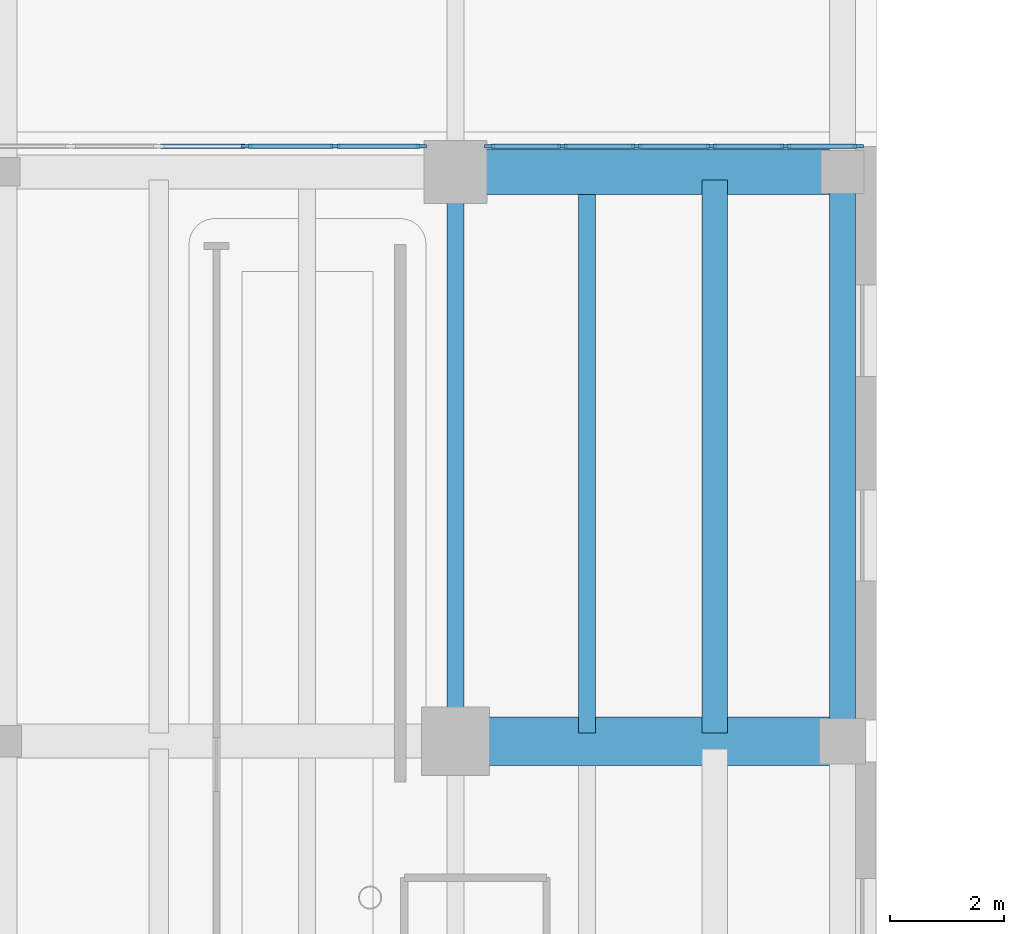
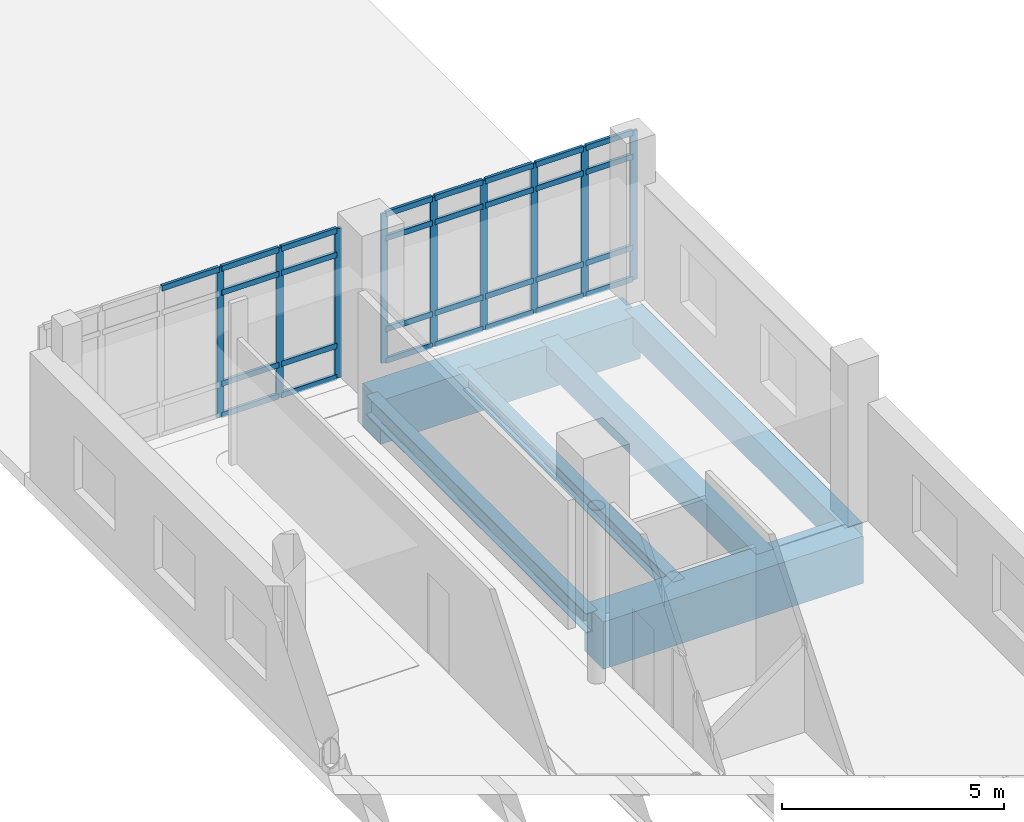
# One storey, part 37 of 89: 38 members, 6 beams, 2 elements without a shape of their own.
"""IFC4 building model written with IfcOpenShell, lengths in metres."""

from ifc_helpers import new_model, si_unit, direction, frame, origin, origin_2d, place, context, subcontext, project, spatial, rectangle, i_section, extrude, material, material_profile, profile_set, type_object, element, aggregate, save


model = new_model("IFC4")

# Units and contexts
model_context = context("Model", 3, precision=1e-05, world=origin(), true_north=direction((0.0, 1.0)))
body_context = subcontext(model_context, "Body", "Model", "MODEL_VIEW")
ifc_project = project(units=[si_unit("LENGTHUNIT", "METRE"), si_unit("AREAUNIT", "SQUARE_METRE"), si_unit("VOLUMEUNIT", "CUBIC_METRE"), si_unit("PLANEANGLEUNIT", "RADIAN"), si_unit("MASSUNIT", "GRAM", prefix="KILO")], contexts=[model_context])

# Site, building, storey
site_placement = place(None, origin())
site = spatial("IfcSite", under=ifc_project, at=site_placement, CompositionType="ELEMENT")
building_placement = place(site_placement, origin())
building = spatial("IfcBuilding", under=site, at=building_placement, Name="Soyqirgoq Riverine Aquarium", CompositionType="ELEMENT")
storey_placement = place(building_placement, frame((0.0, 0.0, 5.39990234375)))
storey = spatial("IfcBuildingStorey", under=building, at=storey_placement, Name="L02", CompositionType="ELEMENT", Elevation=5.39990234375)

# Beams
ifc_material_1 = material(Name="Concrete C40/50", Category="concrete")
ifc_material_profile_1 = material_profile(ifc_material_1, rectangle(XDim=0.449951171875, YDim=0.699951171875, at=origin_2d()), Name="RC 450x700")
ifc_profile_set_1 = profile_set([ifc_material_profile_1], Name="Concrete C40/50")
beam_type_1 = type_object("IfcBeamType", Name="Beam_RC_450x700", PredefinedType="BEAM", material=ifc_profile_set_1)
beam_1_placement = place(storey_placement, frame((127.156005859375, 84.93994140625, -0.699951171875), z_axis=(0.0, 1.0, 0.0), x_axis=(-1.0, 0.0, 0.0)))
element("IfcBeam", 1, at=beam_1_placement, inside=storey, type_object=beam_type_1, Name="V7 L02 Secondary Bay Joist 1356", PredefinedType="BEAM", context=body_context, shape_type="SweptSolid", body=[
    extrude(rectangle(XDim=0.449951171875, YDim=0.699951171875, at=origin_2d()), origin(), (0.0, 0.0, 1.0), 9.719970703125),
])
ifc_material_2 = material(Name="Concrete C40/50", Category="concrete")
ifc_material_profile_2 = material_profile(ifc_material_2, rectangle(XDim=0.449951171875, YDim=0.75, at=origin_2d()), Name="RC 450x750")
ifc_profile_set_2 = profile_set([ifc_material_profile_2], Name="Concrete C40/50")
beam_type_2 = type_object("IfcBeamType", Name="Beam_RC_450x750", PredefinedType="BEAM", material=ifc_profile_set_2)
beam_2_placement = place(storey_placement, frame((129.39990234375, 84.85009765625, -0.724853515625), z_axis=(0.0, 1.0, 0.0), x_axis=(-1.0, 0.0, 0.0)))
element("IfcBeam", 2, at=beam_2_placement, inside=storey, type_object=beam_type_2, Name="V7 L02 North-South Frame Beam 1317", PredefinedType="BEAM", context=body_context, shape_type="SweptSolid", body=[
    extrude(rectangle(XDim=0.449951171875, YDim=0.75, at=origin_2d()), origin(), (0.0, 0.0, 1.0), 9.89990234375),
])

# Curtain wall, members
ifc_material_3 = material(Name="Anodised aluminium thermally broken gallery curtain wall", Category="aluminium")
curtain_wall_type = type_object("IfcCurtainWallType", Name="CW_Pavilion_Ribbon", PredefinedType="NOTDEFINED", material=ifc_material_3)
curtain_wall_1_placement = place(storey_placement, origin())
curtain_wall_1 = element("IfcCurtainWall", 3, at=curtain_wall_1_placement, inside=storey, type_object=curtain_wall_type, Name="V7 L02 Curtain Wall 121", PredefinedType="NOTDEFINED")
ifc_material_4 = material(Name="Anodised aluminium 6063-T6", Category="aluminium")
ifc_material_profile_3 = material_profile(ifc_material_4, rectangle(XDim=0.06494140625, YDim=0.179931640625, at=origin_2d()), Name="ALU-M 65x180")
ifc_profile_set_3 = profile_set([ifc_material_profile_3], Name="Anodised aluminium 6063-T6")
member_type_1 = type_object("IfcMemberType", Name="CWMullion_65x180", PredefinedType="MULLION", material=ifc_profile_set_3)
member_1_placement = place(storey_placement, frame((118.93408203125, 95.25, 0.0), z_axis=(0.0, 0.0, 1.0), x_axis=(0.0, 1.0, 0.0)))
member_1 = element("IfcMember", 4, at=member_1_placement, type_object=member_type_1, Name="CW-05 mullion 4", PredefinedType="MULLION", context=body_context, shape_type="SweptSolid", body=[
    extrude(rectangle(XDim=0.06494140625, YDim=0.179931640625, at=origin_2d()), origin(), (0.0, 0.0, 1.0), 4.10009765625),
])
member_2_placement = place(storey_placement, frame((120.48193359375, 95.25, 0.0), z_axis=(0.0, 0.0, 1.0), x_axis=(0.0, 1.0, 0.0)))
member_2 = element("IfcMember", 5, at=member_2_placement, type_object=member_type_1, Name="CW-05 mullion 5", PredefinedType="MULLION", context=body_context, shape_type="SweptSolid", body=[
    extrude(rectangle(XDim=0.06494140625, YDim=0.179931640625, at=origin_2d()), origin(), (0.0, 0.0, 1.0), 4.10009765625),
])
member_3_placement = place(storey_placement, frame((121.99755859375, 95.25, 0.0), z_axis=(0.0, 0.0, 1.0), x_axis=(0.0, 1.0, 0.0)))
member_3 = element("IfcMember", 6, at=member_3_placement, type_object=member_type_1, Name="CW-05 mullion 6", PredefinedType="MULLION", context=body_context, shape_type="SweptSolid", body=[
    extrude(rectangle(XDim=0.06494140625, YDim=0.179931640625, at=origin_2d()), origin(), (0.0, 0.0, 1.0), 4.10009765625),
])

curtain_wall_2_placement = place(storey_placement, origin())
curtain_wall_2 = element("IfcCurtainWall", 7, at=curtain_wall_2_placement, inside=storey, type_object=curtain_wall_type, Name="V7 L02 Curtain Wall 122", PredefinedType="NOTDEFINED")
member_4_placement = place(storey_placement, frame((123.202392578125, 95.25, 0.0), z_axis=(0.0, 0.0, 1.0), x_axis=(0.0, 1.0, 0.0)))
member_4 = element("IfcMember", 8, at=member_4_placement, type_object=member_type_1, Name="CW-05 mullion 1", PredefinedType="MULLION", context=body_context, shape_type="SweptSolid", body=[
    extrude(rectangle(XDim=0.06494140625, YDim=0.179931640625, at=origin_2d()), origin(), (0.0, 0.0, 1.0), 4.10009765625),
])
member_5_placement = place(storey_placement, frame((124.47802734375, 95.25, 0.0), z_axis=(0.0, 0.0, 1.0), x_axis=(0.0, 1.0, 0.0)))
member_5 = element("IfcMember", 9, at=member_5_placement, type_object=member_type_1, Name="CW-05 mullion 2", PredefinedType="MULLION", context=body_context, shape_type="SweptSolid", body=[
    extrude(rectangle(XDim=0.06494140625, YDim=0.179931640625, at=origin_2d()), origin(), (0.0, 0.0, 1.0), 4.10009765625),
])
member_6_placement = place(storey_placement, frame((125.785888671875, 95.25, 0.0), z_axis=(0.0, 0.0, 1.0), x_axis=(0.0, 1.0, 0.0)))
member_6 = element("IfcMember", 10, at=member_6_placement, type_object=member_type_1, Name="CW-05 mullion 3", PredefinedType="MULLION", context=body_context, shape_type="SweptSolid", body=[
    extrude(rectangle(XDim=0.06494140625, YDim=0.179931640625, at=origin_2d()), origin(), (0.0, 0.0, 1.0), 4.10009765625),
])
member_7_placement = place(storey_placement, frame((127.093994140625, 95.25, 0.0), z_axis=(0.0, 0.0, 1.0), x_axis=(0.0, 1.0, 0.0)))
member_7 = element("IfcMember", 11, at=member_7_placement, type_object=member_type_1, Name="CW-05 mullion 4", PredefinedType="MULLION", context=body_context, shape_type="SweptSolid", body=[
    extrude(rectangle(XDim=0.06494140625, YDim=0.179931640625, at=origin_2d()), origin(), (0.0, 0.0, 1.0), 4.10009765625),
])
member_8_placement = place(storey_placement, frame((128.402099609375, 95.25, 0.0), z_axis=(0.0, 0.0, 1.0), x_axis=(0.0, 1.0, 0.0)))
member_8 = element("IfcMember", 12, at=member_8_placement, type_object=member_type_1, Name="CW-05 mullion 5", PredefinedType="MULLION", context=body_context, shape_type="SweptSolid", body=[
    extrude(rectangle(XDim=0.06494140625, YDim=0.179931640625, at=origin_2d()), origin(), (0.0, 0.0, 1.0), 4.10009765625),
])
member_9_placement = place(storey_placement, frame((129.677490234375, 95.25, 0.0), z_axis=(0.0, 0.0, 1.0), x_axis=(0.0, 1.0, 0.0)))
member_9 = element("IfcMember", 13, at=member_9_placement, type_object=member_type_1, Name="CW-05 mullion 6", PredefinedType="MULLION", context=body_context, shape_type="SweptSolid", body=[
    extrude(rectangle(XDim=0.06494140625, YDim=0.179931640625, at=origin_2d()), origin(), (0.0, 0.0, 1.0), 4.10009765625),
])

# Member
ifc_material_5 = material(Name="Anodised aluminium 6063-T6", Category="aluminium")
ifc_material_profile_4 = material_profile(ifc_material_5, rectangle(XDim=0.074951171875, YDim=0.14990234375, at=origin_2d()), Name="ALU-T 75x150")
ifc_profile_set_4 = profile_set([ifc_material_profile_4], Name="Anodised aluminium 6063-T6")
member_type_2 = type_object("IfcMemberType", Name="CWTransom_75x150", PredefinedType="USERDEFINED", material=ifc_profile_set_4)
member_10_placement = place(storey_placement, frame((117.41845703125, 95.25, 4.0625), z_axis=(1.0, 0.0, 0.0), x_axis=(0.0, 1.0, 0.0)))
member_10 = element("IfcMember", 14, at=member_10_placement, type_object=member_type_2, Name="CW-05 transom 3.4", ObjectType="TRANSOM", PredefinedType="USERDEFINED", context=body_context, shape_type="SweptSolid", body=[
    extrude(rectangle(XDim=0.074951171875, YDim=0.14990234375, at=origin_2d()), origin(), (0.0, 0.0, 1.0), 1.483154296875),
])

member_11_placement = place(storey_placement, frame((118.966552734375, 95.25, 0.03759765625), z_axis=(1.0, 0.0, 0.0), x_axis=(0.0, 1.0, 0.0)))
member_11 = element("IfcMember", 15, at=member_11_placement, type_object=member_type_2, Name="CW-05 transom 4.1", ObjectType="TRANSOM", PredefinedType="USERDEFINED", context=body_context, shape_type="SweptSolid", body=[
    extrude(rectangle(XDim=0.074951171875, YDim=0.14990234375, at=origin_2d()), origin(), (0.0, 0.0, 1.0), 1.48291015625),
])

member_12_placement = place(storey_placement, frame((118.966552734375, 95.25, 0.900146484375), z_axis=(1.0, 0.0, 0.0), x_axis=(0.0, 1.0, 0.0)))
member_12 = element("IfcMember", 16, at=member_12_placement, type_object=member_type_2, Name="CW-05 transom 4.2", ObjectType="TRANSOM", PredefinedType="USERDEFINED", context=body_context, shape_type="SweptSolid", body=[
    extrude(rectangle(XDim=0.074951171875, YDim=0.14990234375, at=origin_2d()), origin(), (0.0, 0.0, 1.0), 1.48291015625),
])

member_13_placement = place(storey_placement, frame((118.966552734375, 95.25, 3.400146484375), z_axis=(1.0, 0.0, 0.0), x_axis=(0.0, 1.0, 0.0)))
member_13 = element("IfcMember", 17, at=member_13_placement, type_object=member_type_2, Name="CW-05 transom 4.3", ObjectType="TRANSOM", PredefinedType="USERDEFINED", context=body_context, shape_type="SweptSolid", body=[
    extrude(rectangle(XDim=0.074951171875, YDim=0.14990234375, at=origin_2d()), origin(), (0.0, 0.0, 1.0), 1.48291015625),
])

member_14_placement = place(storey_placement, frame((118.966552734375, 95.25, 4.0625), z_axis=(1.0, 0.0, 0.0), x_axis=(0.0, 1.0, 0.0)))
member_14 = element("IfcMember", 18, at=member_14_placement, type_object=member_type_2, Name="CW-05 transom 4.4", ObjectType="TRANSOM", PredefinedType="USERDEFINED", context=body_context, shape_type="SweptSolid", body=[
    extrude(rectangle(XDim=0.074951171875, YDim=0.14990234375, at=origin_2d()), origin(), (0.0, 0.0, 1.0), 1.48291015625),
])

member_15_placement = place(storey_placement, frame((120.514404296875, 95.25, 0.03759765625), z_axis=(1.0, 0.0, 0.0), x_axis=(0.0, 1.0, 0.0)))
member_15 = element("IfcMember", 19, at=member_15_placement, type_object=member_type_2, Name="CW-05 transom 5.1", ObjectType="TRANSOM", PredefinedType="USERDEFINED", context=body_context, shape_type="SweptSolid", body=[
    extrude(rectangle(XDim=0.074951171875, YDim=0.14990234375, at=origin_2d()), origin(), (0.0, 0.0, 1.0), 1.45068359375),
])

member_16_placement = place(storey_placement, frame((120.514404296875, 95.25, 0.900146484375), z_axis=(1.0, 0.0, 0.0), x_axis=(0.0, 1.0, 0.0)))
member_16 = element("IfcMember", 20, at=member_16_placement, type_object=member_type_2, Name="CW-05 transom 5.2", ObjectType="TRANSOM", PredefinedType="USERDEFINED", context=body_context, shape_type="SweptSolid", body=[
    extrude(rectangle(XDim=0.074951171875, YDim=0.14990234375, at=origin_2d()), origin(), (0.0, 0.0, 1.0), 1.45068359375),
])

member_17_placement = place(storey_placement, frame((120.514404296875, 95.25, 3.400146484375), z_axis=(1.0, 0.0, 0.0), x_axis=(0.0, 1.0, 0.0)))
member_17 = element("IfcMember", 21, at=member_17_placement, type_object=member_type_2, Name="CW-05 transom 5.3", ObjectType="TRANSOM", PredefinedType="USERDEFINED", context=body_context, shape_type="SweptSolid", body=[
    extrude(rectangle(XDim=0.074951171875, YDim=0.14990234375, at=origin_2d()), origin(), (0.0, 0.0, 1.0), 1.45068359375),
])

member_18_placement = place(storey_placement, frame((120.514404296875, 95.25, 4.0625), z_axis=(1.0, 0.0, 0.0), x_axis=(0.0, 1.0, 0.0)))
member_18 = element("IfcMember", 22, at=member_18_placement, type_object=member_type_2, Name="CW-05 transom 5.4", ObjectType="TRANSOM", PredefinedType="USERDEFINED", context=body_context, shape_type="SweptSolid", body=[
    extrude(rectangle(XDim=0.074951171875, YDim=0.14990234375, at=origin_2d()), origin(), (0.0, 0.0, 1.0), 1.45068359375),
])

aggregate(curtain_wall_1, [member_1, member_2, member_3, member_10, member_11, member_12, member_13, member_14, member_15, member_16, member_17, member_18])

member_19_placement = place(storey_placement, frame((123.235107421875, 95.25, 0.03759765625), z_axis=(1.0, 0.0, 0.0), x_axis=(0.0, 1.0, 0.0)))
member_19 = element("IfcMember", 23, at=member_19_placement, type_object=member_type_2, Name="CW-05 transom 1.1", ObjectType="TRANSOM", PredefinedType="USERDEFINED", context=body_context, shape_type="SweptSolid", body=[
    extrude(rectangle(XDim=0.074951171875, YDim=0.14990234375, at=origin_2d()), origin(), (0.0, 0.0, 1.0), 1.21044921875),
])

member_20_placement = place(storey_placement, frame((123.235107421875, 95.25, 0.900146484375), z_axis=(1.0, 0.0, 0.0), x_axis=(0.0, 1.0, 0.0)))
member_20 = element("IfcMember", 24, at=member_20_placement, type_object=member_type_2, Name="CW-05 transom 1.2", ObjectType="TRANSOM", PredefinedType="USERDEFINED", context=body_context, shape_type="SweptSolid", body=[
    extrude(rectangle(XDim=0.074951171875, YDim=0.14990234375, at=origin_2d()), origin(), (0.0, 0.0, 1.0), 1.21044921875),
])

member_21_placement = place(storey_placement, frame((123.235107421875, 95.25, 3.400146484375), z_axis=(1.0, 0.0, 0.0), x_axis=(0.0, 1.0, 0.0)))
member_21 = element("IfcMember", 25, at=member_21_placement, type_object=member_type_2, Name="CW-05 transom 1.3", ObjectType="TRANSOM", PredefinedType="USERDEFINED", context=body_context, shape_type="SweptSolid", body=[
    extrude(rectangle(XDim=0.074951171875, YDim=0.14990234375, at=origin_2d()), origin(), (0.0, 0.0, 1.0), 1.21044921875),
])

member_22_placement = place(storey_placement, frame((123.235107421875, 95.25, 4.0625), z_axis=(1.0, 0.0, 0.0), x_axis=(0.0, 1.0, 0.0)))
member_22 = element("IfcMember", 26, at=member_22_placement, type_object=member_type_2, Name="CW-05 transom 1.4", ObjectType="TRANSOM", PredefinedType="USERDEFINED", context=body_context, shape_type="SweptSolid", body=[
    extrude(rectangle(XDim=0.074951171875, YDim=0.14990234375, at=origin_2d()), origin(), (0.0, 0.0, 1.0), 1.21044921875),
])

member_23_placement = place(storey_placement, frame((124.510498046875, 95.25, 0.03759765625), z_axis=(1.0, 0.0, 0.0), x_axis=(0.0, 1.0, 0.0)))
member_23 = element("IfcMember", 27, at=member_23_placement, type_object=member_type_2, Name="CW-05 transom 2.1", ObjectType="TRANSOM", PredefinedType="USERDEFINED", context=body_context, shape_type="SweptSolid", body=[
    extrude(rectangle(XDim=0.074951171875, YDim=0.14990234375, at=origin_2d()), origin(), (0.0, 0.0, 1.0), 1.242919921875),
])

member_24_placement = place(storey_placement, frame((124.510498046875, 95.25, 0.900146484375), z_axis=(1.0, 0.0, 0.0), x_axis=(0.0, 1.0, 0.0)))
member_24 = element("IfcMember", 28, at=member_24_placement, type_object=member_type_2, Name="CW-05 transom 2.2", ObjectType="TRANSOM", PredefinedType="USERDEFINED", context=body_context, shape_type="SweptSolid", body=[
    extrude(rectangle(XDim=0.074951171875, YDim=0.14990234375, at=origin_2d()), origin(), (0.0, 0.0, 1.0), 1.242919921875),
])

member_25_placement = place(storey_placement, frame((124.510498046875, 95.25, 3.400146484375), z_axis=(1.0, 0.0, 0.0), x_axis=(0.0, 1.0, 0.0)))
member_25 = element("IfcMember", 29, at=member_25_placement, type_object=member_type_2, Name="CW-05 transom 2.3", ObjectType="TRANSOM", PredefinedType="USERDEFINED", context=body_context, shape_type="SweptSolid", body=[
    extrude(rectangle(XDim=0.074951171875, YDim=0.14990234375, at=origin_2d()), origin(), (0.0, 0.0, 1.0), 1.242919921875),
])

member_26_placement = place(storey_placement, frame((124.510498046875, 95.25, 4.0625), z_axis=(1.0, 0.0, 0.0), x_axis=(0.0, 1.0, 0.0)))
member_26 = element("IfcMember", 30, at=member_26_placement, type_object=member_type_2, Name="CW-05 transom 2.4", ObjectType="TRANSOM", PredefinedType="USERDEFINED", context=body_context, shape_type="SweptSolid", body=[
    extrude(rectangle(XDim=0.074951171875, YDim=0.14990234375, at=origin_2d()), origin(), (0.0, 0.0, 1.0), 1.242919921875),
])

member_27_placement = place(storey_placement, frame((125.818603515625, 95.25, 0.03759765625), z_axis=(1.0, 0.0, 0.0), x_axis=(0.0, 1.0, 0.0)))
member_27 = element("IfcMember", 31, at=member_27_placement, type_object=member_type_2, Name="CW-05 transom 3.1", ObjectType="TRANSOM", PredefinedType="USERDEFINED", context=body_context, shape_type="SweptSolid", body=[
    extrude(rectangle(XDim=0.074951171875, YDim=0.14990234375, at=origin_2d()), origin(), (0.0, 0.0, 1.0), 1.242919921875),
])

member_28_placement = place(storey_placement, frame((125.818603515625, 95.25, 0.900146484375), z_axis=(1.0, 0.0, 0.0), x_axis=(0.0, 1.0, 0.0)))
member_28 = element("IfcMember", 32, at=member_28_placement, type_object=member_type_2, Name="CW-05 transom 3.2", ObjectType="TRANSOM", PredefinedType="USERDEFINED", context=body_context, shape_type="SweptSolid", body=[
    extrude(rectangle(XDim=0.074951171875, YDim=0.14990234375, at=origin_2d()), origin(), (0.0, 0.0, 1.0), 1.242919921875),
])

member_29_placement = place(storey_placement, frame((125.818603515625, 95.25, 3.400146484375), z_axis=(1.0, 0.0, 0.0), x_axis=(0.0, 1.0, 0.0)))
member_29 = element("IfcMember", 33, at=member_29_placement, type_object=member_type_2, Name="CW-05 transom 3.3", ObjectType="TRANSOM", PredefinedType="USERDEFINED", context=body_context, shape_type="SweptSolid", body=[
    extrude(rectangle(XDim=0.074951171875, YDim=0.14990234375, at=origin_2d()), origin(), (0.0, 0.0, 1.0), 1.242919921875),
])

member_30_placement = place(storey_placement, frame((125.818603515625, 95.25, 4.0625), z_axis=(1.0, 0.0, 0.0), x_axis=(0.0, 1.0, 0.0)))
member_30 = element("IfcMember", 34, at=member_30_placement, type_object=member_type_2, Name="CW-05 transom 3.4", ObjectType="TRANSOM", PredefinedType="USERDEFINED", context=body_context, shape_type="SweptSolid", body=[
    extrude(rectangle(XDim=0.074951171875, YDim=0.14990234375, at=origin_2d()), origin(), (0.0, 0.0, 1.0), 1.242919921875),
])

member_31_placement = place(storey_placement, frame((127.12646484375, 95.25, 0.03759765625), z_axis=(1.0, 0.0, 0.0), x_axis=(0.0, 1.0, 0.0)))
member_31 = element("IfcMember", 35, at=member_31_placement, type_object=member_type_2, Name="CW-05 transom 4.1", ObjectType="TRANSOM", PredefinedType="USERDEFINED", context=body_context, shape_type="SweptSolid", body=[
    extrude(rectangle(XDim=0.074951171875, YDim=0.14990234375, at=origin_2d()), origin(), (0.0, 0.0, 1.0), 1.242919921875),
])

member_32_placement = place(storey_placement, frame((127.12646484375, 95.25, 0.900146484375), z_axis=(1.0, 0.0, 0.0), x_axis=(0.0, 1.0, 0.0)))
member_32 = element("IfcMember", 36, at=member_32_placement, type_object=member_type_2, Name="CW-05 transom 4.2", ObjectType="TRANSOM", PredefinedType="USERDEFINED", context=body_context, shape_type="SweptSolid", body=[
    extrude(rectangle(XDim=0.074951171875, YDim=0.14990234375, at=origin_2d()), origin(), (0.0, 0.0, 1.0), 1.242919921875),
])

member_33_placement = place(storey_placement, frame((127.12646484375, 95.25, 3.400146484375), z_axis=(1.0, 0.0, 0.0), x_axis=(0.0, 1.0, 0.0)))
member_33 = element("IfcMember", 37, at=member_33_placement, type_object=member_type_2, Name="CW-05 transom 4.3", ObjectType="TRANSOM", PredefinedType="USERDEFINED", context=body_context, shape_type="SweptSolid", body=[
    extrude(rectangle(XDim=0.074951171875, YDim=0.14990234375, at=origin_2d()), origin(), (0.0, 0.0, 1.0), 1.242919921875),
])

member_34_placement = place(storey_placement, frame((127.12646484375, 95.25, 4.0625), z_axis=(1.0, 0.0, 0.0), x_axis=(0.0, 1.0, 0.0)))
member_34 = element("IfcMember", 38, at=member_34_placement, type_object=member_type_2, Name="CW-05 transom 4.4", ObjectType="TRANSOM", PredefinedType="USERDEFINED", context=body_context, shape_type="SweptSolid", body=[
    extrude(rectangle(XDim=0.074951171875, YDim=0.14990234375, at=origin_2d()), origin(), (0.0, 0.0, 1.0), 1.242919921875),
])

member_35_placement = place(storey_placement, frame((128.4345703125, 95.25, 0.03759765625), z_axis=(1.0, 0.0, 0.0), x_axis=(0.0, 1.0, 0.0)))
member_35 = element("IfcMember", 39, at=member_35_placement, type_object=member_type_2, Name="CW-05 transom 5.1", ObjectType="TRANSOM", PredefinedType="USERDEFINED", context=body_context, shape_type="SweptSolid", body=[
    extrude(rectangle(XDim=0.074951171875, YDim=0.14990234375, at=origin_2d()), origin(), (0.0, 0.0, 1.0), 1.21044921875),
])

member_36_placement = place(storey_placement, frame((128.4345703125, 95.25, 0.900146484375), z_axis=(1.0, 0.0, 0.0), x_axis=(0.0, 1.0, 0.0)))
member_36 = element("IfcMember", 40, at=member_36_placement, type_object=member_type_2, Name="CW-05 transom 5.2", ObjectType="TRANSOM", PredefinedType="USERDEFINED", context=body_context, shape_type="SweptSolid", body=[
    extrude(rectangle(XDim=0.074951171875, YDim=0.14990234375, at=origin_2d()), origin(), (0.0, 0.0, 1.0), 1.21044921875),
])

member_37_placement = place(storey_placement, frame((128.4345703125, 95.25, 3.400146484375), z_axis=(1.0, 0.0, 0.0), x_axis=(0.0, 1.0, 0.0)))
member_37 = element("IfcMember", 41, at=member_37_placement, type_object=member_type_2, Name="CW-05 transom 5.3", ObjectType="TRANSOM", PredefinedType="USERDEFINED", context=body_context, shape_type="SweptSolid", body=[
    extrude(rectangle(XDim=0.074951171875, YDim=0.14990234375, at=origin_2d()), origin(), (0.0, 0.0, 1.0), 1.21044921875),
])

member_38_placement = place(storey_placement, frame((128.4345703125, 95.25, 4.0625), z_axis=(1.0, 0.0, 0.0), x_axis=(0.0, 1.0, 0.0)))
member_38 = element("IfcMember", 42, at=member_38_placement, type_object=member_type_2, Name="CW-05 transom 5.4", ObjectType="TRANSOM", PredefinedType="USERDEFINED", context=body_context, shape_type="SweptSolid", body=[
    extrude(rectangle(XDim=0.074951171875, YDim=0.14990234375, at=origin_2d()), origin(), (0.0, 0.0, 1.0), 1.21044921875),
])

aggregate(curtain_wall_2, [member_4, member_5, member_6, member_7, member_8, member_9, member_19, member_20, member_21, member_22, member_23, member_24, member_25, member_26, member_27, member_28, member_29, member_30, member_31, member_32, member_33, member_34, member_35, member_36, member_37, member_38])

# Beams
ifc_material_6 = material(Name="Concrete C40/50", Category="concrete")
ifc_material_profile_5 = material_profile(ifc_material_6, rectangle(XDim=0.800048828125, YDim=1.199951171875, at=origin_2d()), Name="RC 800x1200")
ifc_profile_set_5 = profile_set([ifc_material_profile_5], Name="Concrete C40/50")
beam_type_3 = type_object("IfcBeamType", Name="Girder_RC_800x1200", PredefinedType="BEAM", material=ifc_profile_set_5)
beam_3_placement = place(storey_placement, frame((122.6201171875, 94.800048828125, -0.949951171875), z_axis=(1.0, 0.0, 0.0), x_axis=(0.0, 1.0, 0.0)))
element("IfcBeam", 43, at=beam_3_placement, inside=storey, type_object=beam_type_3, Name="V7 L02 East-West Frame Girder 1310", PredefinedType="BEAM", context=body_context, shape_type="SweptSolid", body=[
    extrude(rectangle(XDim=0.800048828125, YDim=1.199951171875, at=origin_2d()), origin(), (0.0, 0.0, 1.0), 6.759765625),
])
ifc_material_7 = material(Name="Concrete C40/50", Category="concrete")
ifc_material_profile_6 = material_profile(ifc_material_7, rectangle(XDim=0.85009765625, YDim=1.300048828125, at=origin_2d()), Name="RC 850x1300")
ifc_profile_set_6 = profile_set([ifc_material_profile_6], Name="Concrete C40/50")
beam_type_4 = type_object("IfcBeamType", Name="Girder_RC_850x1300", PredefinedType="BEAM", material=ifc_profile_set_6)
beam_4_placement = place(storey_placement, frame((122.6201171875, 84.800048828125, -1.0), z_axis=(1.0, 0.0, 0.0), x_axis=(0.0, 1.0, 0.0)))
element("IfcBeam", 44, at=beam_4_placement, inside=storey, type_object=beam_type_4, Name="V7 L02 East-West Frame Girder 1308", PredefinedType="BEAM", context=body_context, shape_type="SweptSolid", body=[
    extrude(rectangle(XDim=0.85009765625, YDim=1.300048828125, at=origin_2d()), origin(), (0.0, 0.0, 1.0), 6.759765625),
])
ifc_material_8 = material(Name="Structural steel S355", Category="steel")
ifc_material_profile_7 = material_profile(ifc_material_8, i_section(OverallWidth=0.300048828125, OverallDepth=0.43994140625, WebThickness=0.011474609375, FlangeThickness=0.02099609375, FilletRadius=0.027099609375, at=origin_2d()), Name="HEA 450")
ifc_profile_set_7 = profile_set([ifc_material_profile_7], Name="Structural steel S355")
beam_type_5 = type_object("IfcBeamType", Name="SteelBeam_HEA450", PredefinedType="BEAM", material=ifc_profile_set_7)
beam_5_placement = place(storey_placement, frame((124.912109375, 84.93994140625, -0.56982421875), z_axis=(0.0, 1.0, 0.0), x_axis=(-1.0, 0.0, 0.0)))
element("IfcBeam", 45, at=beam_5_placement, inside=storey, type_object=beam_type_5, Name="V7 L02 Secondary Bay Joist 1355", PredefinedType="BEAM", context=body_context, shape_type="SweptSolid", body=[
    extrude(i_section(OverallWidth=0.300048828125, OverallDepth=0.43994140625, WebThickness=0.011474609375, FlangeThickness=0.02099609375, FilletRadius=0.027099609375, at=origin_2d()), origin(), (0.0, 0.0, 1.0), 9.719970703125),
])
ifc_material_9 = material(Name="Structural steel S355", Category="steel")
ifc_material_profile_8 = material_profile(ifc_material_9, i_section(OverallWidth=0.300048828125, OverallDepth=0.5400390625, WebThickness=0.012451171875, FlangeThickness=0.02392578125, FilletRadius=0.027099609375, at=origin_2d()), Name="HEA 550")
ifc_profile_set_8 = profile_set([ifc_material_profile_8], Name="Structural steel S355")
beam_type_6 = type_object("IfcBeamType", Name="SteelBeam_HEA550", PredefinedType="BEAM", material=ifc_profile_set_8)
beam_6_placement = place(storey_placement, frame((122.60009765625, 84.85009765625, -0.619873046875), z_axis=(0.0, 1.0, 0.0), x_axis=(-1.0, 0.0, 0.0)))
element("IfcBeam", 46, at=beam_6_placement, inside=storey, type_object=beam_type_6, Name="V7 L02 North-South Frame Beam 1307", PredefinedType="BEAM", context=body_context, shape_type="SweptSolid", body=[
    extrude(i_section(OverallWidth=0.300048828125, OverallDepth=0.5400390625, WebThickness=0.012451171875, FlangeThickness=0.02392578125, FilletRadius=0.027099609375, at=origin_2d()), origin(), (0.0, 0.0, 1.0), 9.89990234375),
])

save(model, "model.ifc")
